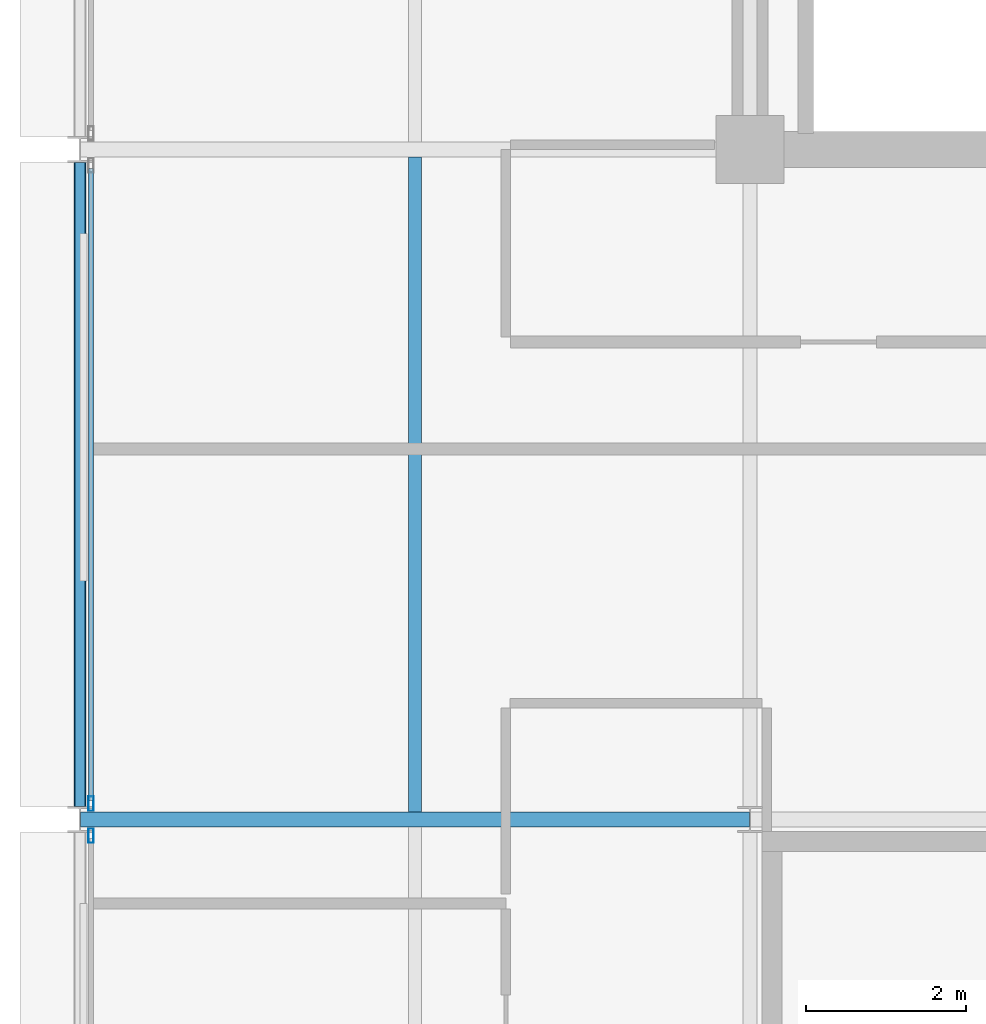
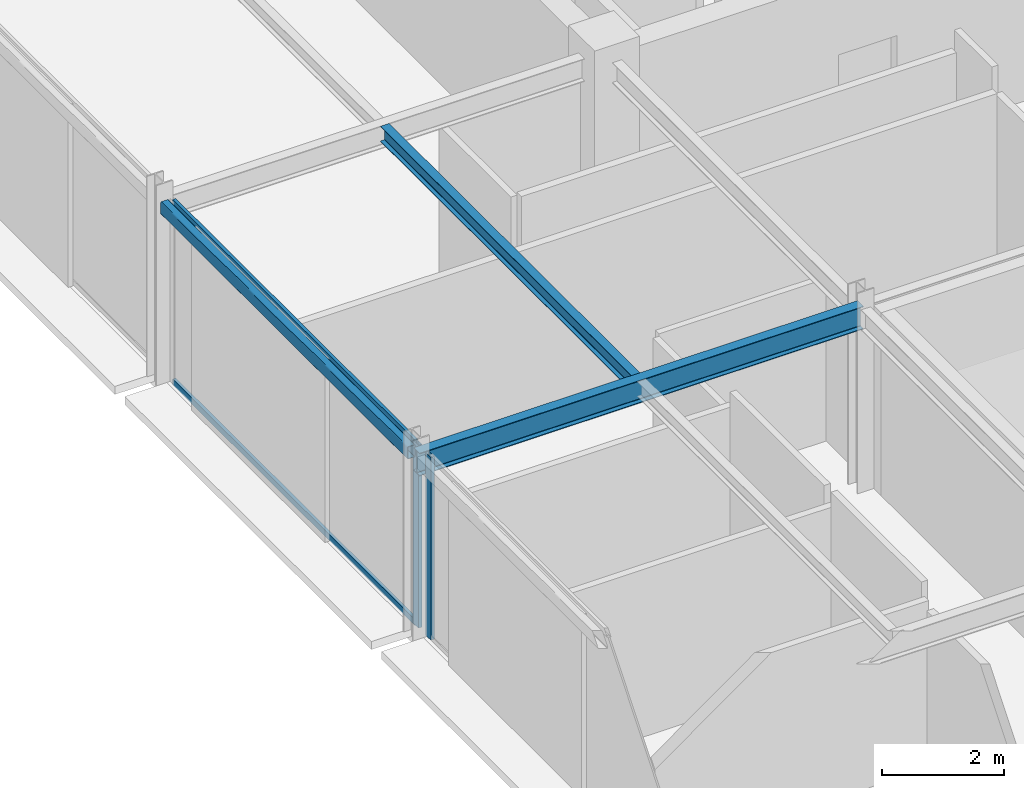
# One storey, part 9 of 25: 4 members, 3 beams, 2 elements without a shape of their own.
"""IFC4 building model written with IfcOpenShell, lengths in metres."""

from ifc_helpers import new_model, si_unit, direction, frame, origin, origin_2d, place, context, subcontext, project, spatial, hollow_rectangle, i_section, extrude, material, layer, layer_set, material_profile, profile_set, type_object, element, aggregate, save


model = new_model("IFC4")

# Units and contexts
model_context = context("Model", 3, precision=1e-05, world=origin(), true_north=direction((0.0, 1.0)))
body_context = subcontext(model_context, "Body", "Model", "MODEL_VIEW")
ifc_project = project(units=[si_unit("LENGTHUNIT", "METRE"), si_unit("AREAUNIT", "SQUARE_METRE"), si_unit("VOLUMEUNIT", "CUBIC_METRE"), si_unit("PLANEANGLEUNIT", "RADIAN"), si_unit("MASSUNIT", "GRAM", prefix="KILO")], contexts=[model_context])

# Site, building, storey
site_placement = place(None, origin())
site = spatial("IfcSite", under=ifc_project, at=site_placement, CompositionType="ELEMENT")
building_placement = place(site_placement, origin())
building = spatial("IfcBuilding", under=site, at=building_placement, Name="Nerrivon Quay Data Exchange", CompositionType="ELEMENT")
storey_placement = place(building_placement, frame((0.0, 0.0, 318.199951171875)))
storey = spatial("IfcBuildingStorey", under=building, at=storey_placement, Name="L76", CompositionType="ELEMENT", Elevation=318.199951171875)

# Beams
ifc_material_1 = material(Name="Steel Grade 350", Category="steel")
ifc_material_profile_1 = material_profile(ifc_material_1, i_section(OverallWidth=0.18994140625, OverallDepth=0.4541015625, WebThickness=0.008544921875, FlangeThickness=0.0126953125, FilletRadius=0.011474609375, at=origin_2d()), Name="460UB67.1")
ifc_profile_set_1 = profile_set([ifc_material_profile_1], Name="Steel Grade 350")
beam_type_1 = type_object("IfcBeamType", Name="BM-G6-460UB67", PredefinedType="BEAM", material=ifc_profile_set_1)
beam_1_placement = place(storey_placement, frame((0.0078125, 16.800048828125, 3.423095703125), z_axis=(1.0, 0.0, 0.0), x_axis=(0.0, 1.0, 0.0)))
element("IfcBeam", 1, at=beam_1_placement, inside=storey, type_object=beam_type_1, Name="L76 EW Girder Y=16.8 (0.0..8.4)", PredefinedType="BEAM", context=body_context, shape_type="SweptSolid", body=[
    extrude(i_section(OverallWidth=0.18994140625, OverallDepth=0.4541015625, WebThickness=0.008544921875, FlangeThickness=0.0126953125, FilletRadius=0.011474609375, at=origin_2d()), origin(), (0.0, 0.0, 1.0), 8.38427734375),
])
ifc_material_profile_2 = material_profile(ifc_material_1, i_section(OverallWidth=0.1650390625, OverallDepth=0.303955078125, WebThickness=0.006103515625, FlangeThickness=0.01025390625, FilletRadius=0.011474609375, at=origin_2d()), Name="310UB40.4")
ifc_profile_set_2 = profile_set([ifc_material_profile_2], Name="Steel Grade 350")
beam_type_2 = type_object("IfcBeamType", Name="BM-J6-310UB40", PredefinedType="JOIST", material=ifc_profile_set_2)
beam_2_placement = place(storey_placement, frame((4.199951171875, 16.89501953125, 3.498046875), z_axis=(0.0, 1.0, 0.0), x_axis=(-1.0, 0.0, 0.0)))
element("IfcBeam", 2, at=beam_2_placement, inside=storey, type_object=beam_type_2, Name="L76 Secondary Joist X=4.2 (16.8..25.2)", PredefinedType="JOIST", context=body_context, shape_type="SweptSolid", body=[
    extrude(i_section(OverallWidth=0.1650390625, OverallDepth=0.303955078125, WebThickness=0.006103515625, FlangeThickness=0.01025390625, FilletRadius=0.011474609375, at=origin_2d()), origin(), (0.0, 0.0, 1.0), 8.2099609375),
])
ifc_material_2 = material(Name="Steel Grade C350L0 (350 MPa)", Category="steel")
ifc_material_profile_3 = material_profile(ifc_material_2, hollow_rectangle(XDim=0.14990234375, YDim=0.25, WallThickness=0.009033203125, InnerFilletRadius=0.013427734375, OuterFilletRadius=0.0224609375, at=origin_2d()), Name="250x150x9.0RHS")
ifc_profile_set_3 = profile_set([ifc_material_profile_3], Name="Steel Grade C350L0 (350 MPa)")
beam_type_3 = type_object("IfcBeamType", Name="BM-SP4-250x150RHS", PredefinedType="SPANDREL", material=ifc_profile_set_3)
beam_3_placement = place(storey_placement, frame((0.0, 16.96337890625, 3.525146484375), z_axis=(0.0, 1.0, 0.0), x_axis=(-1.0, 0.0, 0.0)))
element("IfcBeam", 3, at=beam_3_placement, inside=storey, type_object=beam_type_3, Name="L76 NS Girder X=0.0 (16.8..25.2)", PredefinedType="SPANDREL", context=body_context, shape_type="SweptSolid", body=[
    extrude(hollow_rectangle(XDim=0.14990234375, YDim=0.25, WallThickness=0.009033203125, InnerFilletRadius=0.013427734375, OuterFilletRadius=0.0224609375, at=origin_2d()), origin(), (0.0, 0.0, 1.0), 8.0732421875),
])

# Curtain wall, member
ifc_material_3 = material(Name="Anodised aluminium 6063-T6", Category="aluminium")
ifc_layer = layer(ifc_material_3, 0.195068359375)
ifc_layer_set = layer_set([ifc_layer], Name="Anodised aluminium 6063-T6")
curtain_wall_type = type_object("IfcCurtainWallType", Name="CW-SYS-06", PredefinedType="NOTDEFINED", material=ifc_layer_set)
curtain_wall_1_placement = place(storey_placement, origin())
curtain_wall_1 = element("IfcCurtainWall", 4, at=curtain_wall_1_placement, inside=storey, type_object=curtain_wall_type, Name="L76 Unitised Curtain Wall 9", PredefinedType="NOTDEFINED")
ifc_material_profile_4 = material_profile(ifc_material_3, hollow_rectangle(XDim=0.06494140625, YDim=0.179931640625, WallThickness=0.00341796875, at=origin_2d()), Name="ALU-MULL-180x65")
ifc_profile_set_4 = profile_set([ifc_material_profile_4], Name="Anodised aluminium 6063-T6")
member_type_1 = type_object("IfcMemberType", Name="CWM-180x65", PredefinedType="MULLION", material=ifc_profile_set_4)
member_1_placement = place(storey_placement, frame((0.139892578125, 16.59912109375, 0.0), z_axis=(0.0, 0.0, 1.0), x_axis=(-1.0, 0.0, 0.0)))
member_1 = element("IfcMember", 5, at=member_1_placement, type_object=member_type_1, Name="CW06 mullion 2", PredefinedType="MULLION", context=body_context, shape_type="SweptSolid", body=[
    extrude(hollow_rectangle(XDim=0.06494140625, YDim=0.179931640625, WallThickness=0.00341796875, at=origin_2d()), origin(), (0.0, 0.0, 1.0), 3.650146484375),
])
aggregate(curtain_wall_1, [member_1])

# Curtain wall, members
curtain_wall_2_placement = place(storey_placement, origin())
curtain_wall_2 = element("IfcCurtainWall", 6, at=curtain_wall_2_placement, inside=storey, type_object=curtain_wall_type, Name="L76 Unitised Curtain Wall 10", PredefinedType="NOTDEFINED")
member_2_placement = place(storey_placement, frame((0.139892578125, 17.0009765625, 0.0), z_axis=(0.0, 0.0, 1.0), x_axis=(-1.0, 0.0, 0.0)))
member_2 = element("IfcMember", 7, at=member_2_placement, type_object=member_type_1, Name="CW06 mullion 1", PredefinedType="MULLION", context=body_context, shape_type="SweptSolid", body=[
    extrude(hollow_rectangle(XDim=0.06494140625, YDim=0.179931640625, WallThickness=0.00341796875, at=origin_2d()), origin(), (0.0, 0.0, 1.0), 3.650146484375),
])
ifc_material_profile_5 = material_profile(ifc_material_3, hollow_rectangle(XDim=0.06005859375, YDim=0.1201171875, WallThickness=0.003173828125, at=origin_2d()), Name="ALU-TRAN-120x60")
ifc_profile_set_5 = profile_set([ifc_material_profile_5], Name="Anodised aluminium 6063-T6")
member_type_2 = type_object("IfcMemberType", Name="CWT-120x60", PredefinedType="USERDEFINED", material=ifc_profile_set_5)
member_3_placement = place(storey_placement, frame((0.139892578125, 17.03857421875, 0.032470703125), z_axis=(0.0, 1.0, 0.0), x_axis=(-1.0, 0.0, 0.0)))
member_3 = element("IfcMember", 8, at=member_3_placement, type_object=member_type_2, Name="CW06 transom 1.1", ObjectType="TRANSOM", PredefinedType="USERDEFINED", context=body_context, shape_type="SweptSolid", body=[
    extrude(hollow_rectangle(XDim=0.06005859375, YDim=0.1201171875, WallThickness=0.003173828125, at=origin_2d()), origin(), (0.0, 0.0, 1.0), 7.9228515625),
])
member_4_placement = place(storey_placement, frame((0.139892578125, 17.03857421875, 3.617431640625), z_axis=(0.0, 1.0, 0.0), x_axis=(-1.0, 0.0, 0.0)))
member_4 = element("IfcMember", 9, at=member_4_placement, type_object=member_type_2, Name="CW06 transom 1.2", ObjectType="TRANSOM", PredefinedType="USERDEFINED", context=body_context, shape_type="SweptSolid", body=[
    extrude(hollow_rectangle(XDim=0.06005859375, YDim=0.1201171875, WallThickness=0.003173828125, at=origin_2d()), origin(), (0.0, 0.0, 1.0), 7.9228515625),
])
aggregate(curtain_wall_2, [member_2, member_3, member_4])

save(model, "model.ifc")
